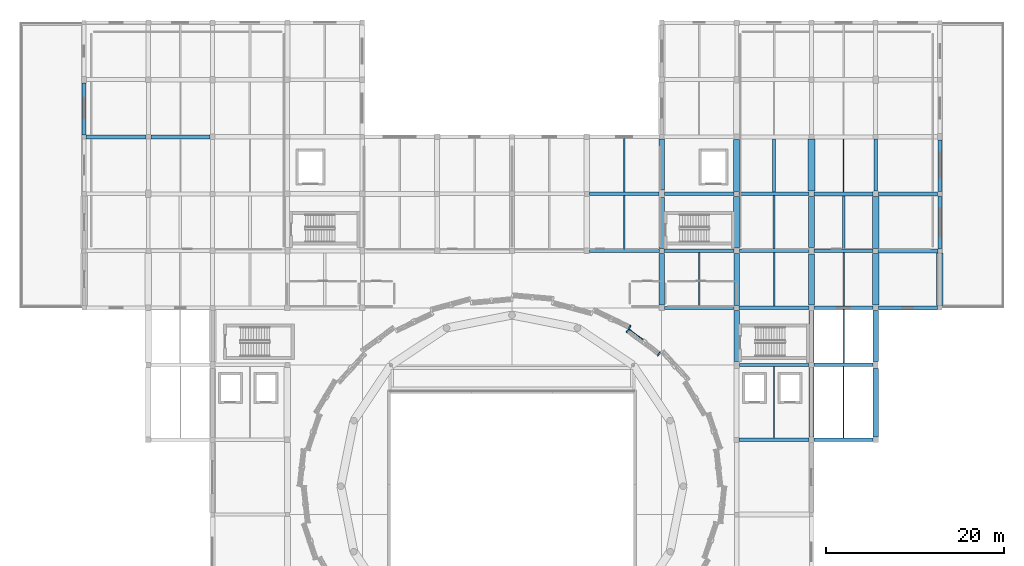
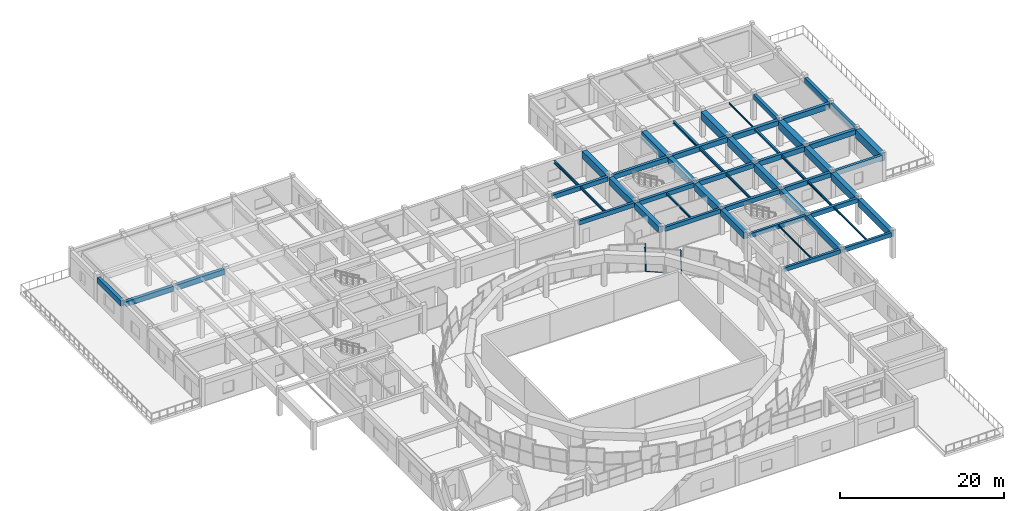
# One storey, part 21 of 40: 53 beams, 4 members, 2 elements without a shape of their own.
"""IFC4 building model written with IfcOpenShell, lengths in metres."""

from ifc_helpers import new_model, si_unit, direction, frame, origin, origin_2d, place, context, subcontext, project, spatial, rectangle, hollow_rectangle, i_section, extrude, material, material_profile, profile_set, type_object, element, aggregate, save


model = new_model("IFC4")

# Units and contexts
model_context = context("Model", 3, precision=1e-05, world=origin(), true_north=direction((0.0, 1.0)))
body_context = subcontext(model_context, "Body", "Model", "MODEL_VIEW")
ifc_project = project(units=[si_unit("LENGTHUNIT", "METRE"), si_unit("AREAUNIT", "SQUARE_METRE"), si_unit("VOLUMEUNIT", "CUBIC_METRE"), si_unit("PLANEANGLEUNIT", "RADIAN"), si_unit("MASSUNIT", "GRAM", prefix="KILO")], contexts=[model_context])

# Site, building, storey
site_placement = place(None, origin())
site = spatial("IfcSite", under=ifc_project, at=site_placement, CompositionType="ELEMENT")
building_placement = place(site_placement, origin())
building = spatial("IfcBuilding", under=site, at=building_placement, Name="Korsvaeld Concert Hall", CompositionType="ELEMENT")
storey_placement = place(building_placement, frame((0.0, 0.0, 13.199951171875)))
storey = spatial("IfcBuildingStorey", under=building, at=storey_placement, Name="L03", CompositionType="ELEMENT", Elevation=13.199951171875)

# Beams
ifc_material_1 = material(Name="Concrete C35/45", Category="concrete")
ifc_material_profile_1 = material_profile(ifc_material_1, rectangle(XDim=0.35009765625, YDim=0.60009765625, at=origin_2d()), Name="RC 350x600")
ifc_profile_set_1 = profile_set([ifc_material_profile_1], Name="Concrete C35/45")
beam_type_1 = type_object("IfcBeamType", Name="BM-RC-350x600", PredefinedType="T_BEAM", material=ifc_profile_set_1)
beam_1_placement = place(storey_placement, frame((109.47509765625, 68.39990234375, 3.5400390625), z_axis=(1.0, 0.0, 0.0), x_axis=(0.0, 1.0, 0.0)))
element("IfcBeam", 1, at=beam_1_placement, inside=storey, type_object=beam_type_1, Name="Primary girder 15-16/K L03", PredefinedType="T_BEAM", context=body_context, shape_type="SweptSolid", body=[
    extrude(rectangle(XDim=0.35009765625, YDim=0.60009765625, at=origin_2d()), origin(), (0.0, 0.0, 1.0), 7.824951171875),
])
ifc_material_profile_2 = material_profile(ifc_material_1, rectangle(XDim=0.35009765625, YDim=0.64990234375, at=origin_2d()), Name="RC 350x650")
ifc_profile_set_2 = profile_set([ifc_material_profile_2], Name="Concrete C35/45")
beam_type_2 = type_object("IfcBeamType", Name="BM-RC-350x650", PredefinedType="T_BEAM", material=ifc_profile_set_2)
beam_2_placement = place(storey_placement, frame((117.89990234375, 68.39990234375, 3.51513671875), z_axis=(1.0, 0.0, 0.0), x_axis=(0.0, 1.0, 0.0)))
element("IfcBeam", 2, at=beam_2_placement, inside=storey, type_object=beam_type_2, Name="Primary girder 16-17/K L03", PredefinedType="T_BEAM", context=body_context, shape_type="SweptSolid", body=[
    extrude(rectangle(XDim=0.35009765625, YDim=0.64990234375, at=origin_2d()), origin(), (0.0, 0.0, 1.0), 6.60009765625),
])
for number, where, z_axis, x_axis, name in (
    (3, (109.5, 76.800048828125, 3.51513671875), (1.0, 0.0, 0.0), (0.0, 1.0, 0.0), "Primary girder 15-16/L L03"),
    (4, (101.10009765625, 83.199951171875, 3.51513671875), (1.0, 0.0, 0.0), (0.0, 1.0, 0.0), "Primary girder 14-15/M L03"),
    (5, (92.699951171875, 89.60009765625, 3.51513671875), (1.0, 0.0, 0.0), (0.0, 1.0, 0.0), "Primary girder 13-14/N L03"),
):
    element("IfcBeam", number, at=place(storey_placement, frame(where, z_axis=z_axis, x_axis=x_axis)), inside=storey, type_object=beam_type_2, Name=name, PredefinedType="T_BEAM", context=body_context, shape_type="SweptSolid", body=[
        extrude(rectangle(XDim=0.35009765625, YDim=0.64990234375, at=origin_2d()), origin(), (0.0, 0.0, 1.0), 7.824951171875),
    ])
ifc_material_profile_3 = material_profile(ifc_material_1, rectangle(XDim=0.39990234375, YDim=0.64990234375, at=origin_2d()), Name="RC 400x650")
ifc_profile_set_3 = profile_set([ifc_material_profile_3], Name="Concrete C35/45")
beam_type_3 = type_object("IfcBeamType", Name="BM-RC-400x650", PredefinedType="T_BEAM", material=ifc_profile_set_3)
beam_3_placement = place(storey_placement, frame((117.875, 76.800048828125, 3.51513671875), z_axis=(1.0, 0.0, 0.0), x_axis=(0.0, 1.0, 0.0)))
element("IfcBeam", 6, at=beam_3_placement, inside=storey, type_object=beam_type_3, Name="Primary girder 16-17/L L03", PredefinedType="T_BEAM", context=body_context, shape_type="SweptSolid", body=[
    extrude(rectangle(XDim=0.39990234375, YDim=0.64990234375, at=origin_2d()), origin(), (0.0, 0.0, 1.0), 6.64990234375),
])
for number, where, z_axis, x_axis, name in (
    (7, (109.47509765625, 83.199951171875, 3.51513671875), (1.0, 0.0, 0.0), (0.0, 1.0, 0.0), "Primary girder 15-16/M L03"),
    (8, (101.074951171875, 89.60009765625, 3.51513671875), (1.0, 0.0, 0.0), (0.0, 1.0, 0.0), "Primary girder 14-15/N L03"),
    (9, (92.675048828125, 96.0, 3.51513671875), (1.0, 0.0, 0.0), (0.0, 1.0, 0.0), "Primary girder 13-14/P L03"),
):
    element("IfcBeam", number, at=place(storey_placement, frame(where, z_axis=z_axis, x_axis=x_axis)), inside=storey, type_object=beam_type_3, Name=name, PredefinedType="T_BEAM", context=body_context, shape_type="SweptSolid", body=[
        extrude(rectangle(XDim=0.39990234375, YDim=0.64990234375, at=origin_2d()), origin(), (0.0, 0.0, 1.0), 7.824951171875),
    ])
ifc_material_profile_4 = material_profile(ifc_material_1, rectangle(XDim=0.39990234375, YDim=0.699951171875, at=origin_2d()), Name="RC 400x700")
ifc_profile_set_4 = profile_set([ifc_material_profile_4], Name="Concrete C35/45")
beam_type_4 = type_object("IfcBeamType", Name="BM-RC-400x700", PredefinedType="T_BEAM", material=ifc_profile_set_4)
beam_4_placement = place(storey_placement, frame((117.89990234375, 83.199951171875, 3.489990234375), z_axis=(1.0, 0.0, 0.0), x_axis=(0.0, 1.0, 0.0)))
element("IfcBeam", 10, at=beam_4_placement, inside=storey, type_object=beam_type_4, Name="Primary girder 16-17/M L03", PredefinedType="T_BEAM", context=body_context, shape_type="SweptSolid", body=[
    extrude(rectangle(XDim=0.39990234375, YDim=0.699951171875, at=origin_2d()), origin(), (0.0, 0.0, 1.0), 6.60009765625),
])
for number, where, z_axis, x_axis, name in (
    (11, (109.5, 89.60009765625, 3.489990234375), (1.0, 0.0, 0.0), (0.0, 1.0, 0.0), "Primary girder 15-16/N L03"),
    (12, (101.10009765625, 96.0, 3.489990234375), (1.0, 0.0, 0.0), (0.0, 1.0, 0.0), "Primary girder 14-15/P L03"),
):
    element("IfcBeam", number, at=place(storey_placement, frame(where, z_axis=z_axis, x_axis=x_axis)), inside=storey, type_object=beam_type_4, Name=name, PredefinedType="T_BEAM", context=body_context, shape_type="SweptSolid", body=[
        extrude(rectangle(XDim=0.39990234375, YDim=0.699951171875, at=origin_2d()), origin(), (0.0, 0.0, 1.0), 7.824951171875),
    ])
beam_5_placement = place(storey_placement, frame((124.800048828125, 96.300048828125, 3.489990234375), z_axis=(0.0, 1.0, 0.0), x_axis=(-1.0, 0.0, 0.0)))
element("IfcBeam", 13, at=beam_5_placement, inside=storey, type_object=beam_type_4, Name="Primary girder 17/P-Q L03", PredefinedType="T_BEAM", context=body_context, shape_type="SweptSolid", body=[
    extrude(rectangle(XDim=0.39990234375, YDim=0.699951171875, at=origin_2d()), origin(), (0.0, 0.0, 1.0), 5.824951171875),
])
beam_6_placement = place(storey_placement, frame((132.0, 89.824951171875, 3.489990234375), z_axis=(0.0, 1.0, 0.0), x_axis=(-1.0, 0.0, 0.0)))
element("IfcBeam", 14, at=beam_6_placement, inside=storey, type_object=beam_type_4, Name="Primary girder 18/N-P L03", PredefinedType="T_BEAM", context=body_context, shape_type="SweptSolid", body=[
    extrude(rectangle(XDim=0.39990234375, YDim=0.699951171875, at=origin_2d()), origin(), (0.0, 0.0, 1.0), 5.925048828125),
])
ifc_material_profile_5 = material_profile(ifc_material_1, rectangle(XDim=0.39990234375, YDim=0.75, at=origin_2d()), Name="RC 400x750")
ifc_profile_set_5 = profile_set([ifc_material_profile_5], Name="Concrete C35/45")
beam_type_5 = type_object("IfcBeamType", Name="BM-RC-400x750", PredefinedType="T_BEAM", material=ifc_profile_set_5)
for number, where, z_axis, x_axis, name in (
    (15, (125.10009765625, 83.199951171875, 3.465087890625), (1.0, 0.0, 0.0), (0.0, 1.0, 0.0), "Primary girder 17-18/M L03"),
    (16, (117.875, 89.60009765625, 3.465087890625), (1.0, 0.0, 0.0), (0.0, 1.0, 0.0), "Primary girder 16-17/N L03"),
):
    element("IfcBeam", number, at=place(storey_placement, frame(where, z_axis=z_axis, x_axis=x_axis)), inside=storey, type_object=beam_type_5, Name=name, PredefinedType="T_BEAM", context=body_context, shape_type="SweptSolid", body=[
        extrude(rectangle(XDim=0.39990234375, YDim=0.75, at=origin_2d()), origin(), (0.0, 0.0, 1.0), 6.64990234375),
    ])
beam_7_placement = place(storey_placement, frame((109.47509765625, 96.0, 3.465087890625), z_axis=(1.0, 0.0, 0.0), x_axis=(0.0, 1.0, 0.0)))
element("IfcBeam", 17, at=beam_7_placement, inside=storey, type_object=beam_type_5, Name="Primary girder 15-16/P L03", PredefinedType="T_BEAM", context=body_context, shape_type="SweptSolid", body=[
    extrude(rectangle(XDim=0.39990234375, YDim=0.75, at=origin_2d()), origin(), (0.0, 0.0, 1.0), 7.824951171875),
])
ifc_material_profile_6 = material_profile(ifc_material_1, rectangle(XDim=0.449951171875, YDim=0.75, at=origin_2d()), Name="RC 450x750")
ifc_profile_set_6 = profile_set([ifc_material_profile_6], Name="Concrete C35/45")
beam_type_6 = type_object("IfcBeamType", Name="BM-RC-450x750", PredefinedType="T_BEAM", material=ifc_profile_set_6)
beam_8_placement = place(storey_placement, frame((125.074951171875, 89.60009765625, 3.465087890625), z_axis=(1.0, 0.0, 0.0), x_axis=(0.0, 1.0, 0.0)))
element("IfcBeam", 18, at=beam_8_placement, inside=storey, type_object=beam_type_6, Name="Primary girder 17-18/N L03", PredefinedType="T_BEAM", context=body_context, shape_type="SweptSolid", body=[
    extrude(rectangle(XDim=0.449951171875, YDim=0.75, at=origin_2d()), origin(), (0.0, 0.0, 1.0), 6.699951171875),
])
beam_9_placement = place(storey_placement, frame((117.89990234375, 96.0, 3.465087890625), z_axis=(1.0, 0.0, 0.0), x_axis=(0.0, 1.0, 0.0)))
element("IfcBeam", 19, at=beam_9_placement, inside=storey, type_object=beam_type_6, Name="Primary girder 16-17/P L03", PredefinedType="T_BEAM", context=body_context, shape_type="SweptSolid", body=[
    extrude(rectangle(XDim=0.449951171875, YDim=0.75, at=origin_2d()), origin(), (0.0, 0.0, 1.0), 6.60009765625),
])
beam_10_placement = place(storey_placement, frame((36.22509765625, 102.39990234375, 3.465087890625), z_axis=(1.0, 0.0, 0.0), x_axis=(0.0, 1.0, 0.0)))
element("IfcBeam", 20, at=beam_10_placement, inside=storey, type_object=beam_type_6, Name="Primary girder 6-7/Q L03", PredefinedType="T_BEAM", context=body_context, shape_type="SweptSolid", body=[
    extrude(rectangle(XDim=0.449951171875, YDim=0.75, at=origin_2d()), origin(), (0.0, 0.0, 1.0), 6.699951171875),
])
ifc_material_profile_7 = material_profile(ifc_material_1, rectangle(XDim=0.449951171875, YDim=0.800048828125, at=origin_2d()), Name="RC 450x800")
ifc_profile_set_7 = profile_set([ifc_material_profile_7], Name="Concrete C35/45")
beam_type_7 = type_object("IfcBeamType", Name="BM-RC-450x800", PredefinedType="T_BEAM", material=ifc_profile_set_7)
beam_11_placement = place(storey_placement, frame((125.10009765625, 96.0, 3.43994140625), z_axis=(1.0, 0.0, 0.0), x_axis=(0.0, 1.0, 0.0)))
element("IfcBeam", 21, at=beam_11_placement, inside=storey, type_object=beam_type_7, Name="Primary girder 17-18/P L03", PredefinedType="T_BEAM", context=body_context, shape_type="SweptSolid", body=[
    extrude(rectangle(XDim=0.449951171875, YDim=0.800048828125, at=origin_2d()), origin(), (0.0, 0.0, 1.0), 6.64990234375),
])
beam_12_placement = place(storey_placement, frame((43.47509765625, 102.39990234375, 3.43994140625), z_axis=(1.0, 0.0, 0.0), x_axis=(0.0, 1.0, 0.0)))
element("IfcBeam", 22, at=beam_12_placement, inside=storey, type_object=beam_type_7, Name="Primary girder 7-8/Q L03", PredefinedType="T_BEAM", context=body_context, shape_type="SweptSolid", body=[
    extrude(rectangle(XDim=0.449951171875, YDim=0.800048828125, at=origin_2d()), origin(), (0.0, 0.0, 1.0), 6.625),
])
for number, where, z_axis, x_axis, name in (
    (23, (36.0, 102.625, 3.43994140625), (0.0, 1.0, 0.0), (-1.0, 0.0, 0.0), "Primary girder 6/Q-R L03"),
    (24, (132.0, 96.25, 3.43994140625), (0.0, 1.0, 0.0), (-1.0, 0.0, 0.0), "Primary girder 18/P-Q L03"),
):
    element("IfcBeam", number, at=place(storey_placement, frame(where, z_axis=z_axis, x_axis=x_axis)), inside=storey, type_object=beam_type_7, Name=name, PredefinedType="T_BEAM", context=body_context, shape_type="SweptSolid", body=[
        extrude(rectangle(XDim=0.449951171875, YDim=0.800048828125, at=origin_2d()), origin(), (0.0, 0.0, 1.0), 5.800048828125),
    ])
ifc_material_2 = material(Name="Concrete C40/50", Category="concrete")
ifc_material_profile_8 = material_profile(ifc_material_2, rectangle(XDim=0.60009765625, YDim=1.050048828125, at=origin_2d()), Name="RC 600x1050")
ifc_profile_set_8 = profile_set([ifc_material_profile_8], Name="Concrete C40/50")
beam_type_8 = type_object("IfcBeamType", Name="BM-RC-600x1050", PredefinedType="T_BEAM", material=ifc_profile_set_8)
beam_13_placement = place(storey_placement, frame((100.800048828125, 89.875, 3.31494140625), z_axis=(0.0, 1.0, 0.0), x_axis=(-1.0, 0.0, 0.0)))
element("IfcBeam", 25, at=beam_13_placement, inside=storey, type_object=beam_type_8, Name="Primary girder 14/N-P L03", PredefinedType="T_BEAM", context=body_context, shape_type="SweptSolid", body=[
    extrude(rectangle(XDim=0.60009765625, YDim=1.050048828125, at=origin_2d()), origin(), (0.0, 0.0, 1.0), 5.72509765625),
])
for number, where, z_axis, x_axis, name in (
    (26, (109.199951171875, 83.47509765625, 3.31494140625), (0.0, 1.0, 0.0), (-1.0, 0.0, 0.0), "Primary girder 15/M-N L03"),
    (27, (117.60009765625, 77.074951171875, 3.31494140625), (0.0, 1.0, 0.0), (-1.0, 0.0, 0.0), "Primary girder 16/L-M L03"),
):
    element("IfcBeam", number, at=place(storey_placement, frame(where, z_axis=z_axis, x_axis=x_axis)), inside=storey, type_object=beam_type_8, Name=name, PredefinedType="T_BEAM", context=body_context, shape_type="SweptSolid", body=[
        extrude(rectangle(XDim=0.60009765625, YDim=1.050048828125, at=origin_2d()), origin(), (0.0, 0.0, 1.0), 5.824951171875),
    ])
beam_14_placement = place(storey_placement, frame((124.800048828125, 68.699951171875, 3.31494140625), z_axis=(0.0, 1.0, 0.0), x_axis=(-1.0, 0.0, 0.0)))
element("IfcBeam", 28, at=beam_14_placement, inside=storey, type_object=beam_type_8, Name="Primary girder 17/K-L L03", PredefinedType="T_BEAM", context=body_context, shape_type="SweptSolid", body=[
    extrude(rectangle(XDim=0.60009765625, YDim=1.050048828125, at=origin_2d()), origin(), (0.0, 0.0, 1.0), 7.72509765625),
])
ifc_material_profile_9 = material_profile(ifc_material_2, rectangle(XDim=0.60009765625, YDim=0.949951171875, at=origin_2d()), Name="RC 600x950")
ifc_profile_set_9 = profile_set([ifc_material_profile_9], Name="Concrete C40/50")
beam_type_9 = type_object("IfcBeamType", Name="BM-RC-600x950", PredefinedType="T_BEAM", material=ifc_profile_set_9)
beam_15_placement = place(storey_placement, frame((100.800048828125, 83.5, 3.364990234375), z_axis=(0.0, 1.0, 0.0), x_axis=(-1.0, 0.0, 0.0)))
element("IfcBeam", 29, at=beam_15_placement, inside=storey, type_object=beam_type_9, Name="Primary girder 14/M-N L03", PredefinedType="T_BEAM", context=body_context, shape_type="SweptSolid", body=[
    extrude(rectangle(XDim=0.60009765625, YDim=0.949951171875, at=origin_2d()), origin(), (0.0, 0.0, 1.0), 5.824951171875),
])
beam_16_placement = place(storey_placement, frame((109.199951171875, 77.199951171875, 3.364990234375), z_axis=(0.0, 1.0, 0.0), x_axis=(-1.0, 0.0, 0.0)))
element("IfcBeam", 30, at=beam_16_placement, inside=storey, type_object=beam_type_9, Name="Primary girder 15/L-M L03", PredefinedType="T_BEAM", context=body_context, shape_type="SweptSolid", body=[
    extrude(rectangle(XDim=0.60009765625, YDim=0.949951171875, at=origin_2d()), origin(), (0.0, 0.0, 1.0), 5.72509765625),
])
beam_17_placement = place(storey_placement, frame((117.60009765625, 68.699951171875, 3.364990234375), z_axis=(0.0, 1.0, 0.0), x_axis=(-1.0, 0.0, 0.0)))
element("IfcBeam", 31, at=beam_17_placement, inside=storey, type_object=beam_type_9, Name="Primary girder 16/K-L L03", PredefinedType="T_BEAM", context=body_context, shape_type="SweptSolid", body=[
    extrude(rectangle(XDim=0.60009765625, YDim=0.949951171875, at=origin_2d()), origin(), (0.0, 0.0, 1.0), 7.824951171875),
])
ifc_material_profile_10 = material_profile(ifc_material_2, rectangle(XDim=0.64990234375, YDim=1.10009765625, at=origin_2d()), Name="RC 650x1100")
ifc_profile_set_10 = profile_set([ifc_material_profile_10], Name="Concrete C40/50")
beam_type_10 = type_object("IfcBeamType", Name="BM-RC-650x1100", PredefinedType="T_BEAM", material=ifc_profile_set_10)
beam_18_placement = place(storey_placement, frame((100.800048828125, 96.39990234375, 3.2900390625), z_axis=(0.0, 1.0, 0.0), x_axis=(-1.0, 0.0, 0.0)))
element("IfcBeam", 32, at=beam_18_placement, inside=storey, type_object=beam_type_10, Name="Primary girder 14/P-Q L03", PredefinedType="T_BEAM", context=body_context, shape_type="SweptSolid", body=[
    extrude(rectangle(XDim=0.64990234375, YDim=1.10009765625, at=origin_2d()), origin(), (0.0, 0.0, 1.0), 5.72509765625),
])
beam_19_placement = place(storey_placement, frame((109.199951171875, 89.89990234375, 3.2900390625), z_axis=(0.0, 1.0, 0.0), x_axis=(-1.0, 0.0, 0.0)))
element("IfcBeam", 33, at=beam_19_placement, inside=storey, type_object=beam_type_10, Name="Primary girder 15/N-P L03", PredefinedType="T_BEAM", context=body_context, shape_type="SweptSolid", body=[
    extrude(rectangle(XDim=0.64990234375, YDim=1.10009765625, at=origin_2d()), origin(), (0.0, 0.0, 1.0), 5.8251953125),
])
beam_20_placement = place(storey_placement, frame((117.60009765625, 83.5, 3.2900390625), z_axis=(0.0, 1.0, 0.0), x_axis=(-1.0, 0.0, 0.0)))
element("IfcBeam", 34, at=beam_20_placement, inside=storey, type_object=beam_type_10, Name="Primary girder 16/M-N L03", PredefinedType="T_BEAM", context=body_context, shape_type="SweptSolid", body=[
    extrude(rectangle(XDim=0.64990234375, YDim=1.10009765625, at=origin_2d()), origin(), (0.0, 0.0, 1.0), 5.72509765625),
])
beam_21_placement = place(storey_placement, frame((124.800048828125, 77.175048828125, 3.2900390625), z_axis=(0.0, 1.0, 0.0), x_axis=(-1.0, 0.0, 0.0)))
element("IfcBeam", 35, at=beam_21_placement, inside=storey, type_object=beam_type_10, Name="Primary girder 17/L-M L03", PredefinedType="T_BEAM", context=body_context, shape_type="SweptSolid", body=[
    extrude(rectangle(XDim=0.64990234375, YDim=1.10009765625, at=origin_2d()), origin(), (0.0, 0.0, 1.0), 5.724853515625),
])
ifc_material_profile_11 = material_profile(ifc_material_2, rectangle(XDim=0.699951171875, YDim=1.14990234375, at=origin_2d()), Name="RC 700x1150")
ifc_profile_set_11 = profile_set([ifc_material_profile_11], Name="Concrete C40/50")
beam_type_11 = type_object("IfcBeamType", Name="BM-RC-700x1150", PredefinedType="T_BEAM", material=ifc_profile_set_11)
beam_22_placement = place(storey_placement, frame((109.199951171875, 96.27490234375, 3.26513671875), z_axis=(0.0, 1.0, 0.0), x_axis=(-1.0, 0.0, 0.0)))
element("IfcBeam", 36, at=beam_22_placement, inside=storey, type_object=beam_type_11, Name="Primary girder 15/P-Q L03", PredefinedType="T_BEAM", context=body_context, shape_type="SweptSolid", body=[
    extrude(rectangle(XDim=0.699951171875, YDim=1.14990234375, at=origin_2d()), origin(), (0.0, 0.0, 1.0), 5.8251953125),
])
beam_23_placement = place(storey_placement, frame((117.60009765625, 89.97509765625, 3.26513671875), z_axis=(0.0, 1.0, 0.0), x_axis=(-1.0, 0.0, 0.0)))
element("IfcBeam", 37, at=beam_23_placement, inside=storey, type_object=beam_type_11, Name="Primary girder 16/N-P L03", PredefinedType="T_BEAM", context=body_context, shape_type="SweptSolid", body=[
    extrude(rectangle(XDim=0.699951171875, YDim=1.14990234375, at=origin_2d()), origin(), (0.0, 0.0, 1.0), 5.724853515625),
])
beam_24_placement = place(storey_placement, frame((124.800048828125, 83.5, 3.26513671875), z_axis=(0.0, 1.0, 0.0), x_axis=(-1.0, 0.0, 0.0)))
element("IfcBeam", 38, at=beam_24_placement, inside=storey, type_object=beam_type_11, Name="Primary girder 17/M-N L03", PredefinedType="T_BEAM", context=body_context, shape_type="SweptSolid", body=[
    extrude(rectangle(XDim=0.699951171875, YDim=1.14990234375, at=origin_2d()), origin(), (0.0, 0.0, 1.0), 5.824951171875),
])
ifc_material_profile_12 = material_profile(ifc_material_2, rectangle(XDim=0.75, YDim=1.199951171875, at=origin_2d()), Name="RC 750x1200")
ifc_profile_set_12 = profile_set([ifc_material_profile_12], Name="Concrete C40/50")
beam_type_12 = type_object("IfcBeamType", Name="BM-RC-750x1200", PredefinedType="T_BEAM", material=ifc_profile_set_12)
for number, where, z_axis, x_axis, name in (
    (39, (117.60009765625, 96.300048828125, 3.239990234375), (0.0, 1.0, 0.0), (-1.0, 0.0, 0.0), "Primary girder 16/P-Q L03"),
    (40, (124.800048828125, 89.875, 3.239990234375), (0.0, 1.0, 0.0), (-1.0, 0.0, 0.0), "Primary girder 17/N-P L03"),
):
    element("IfcBeam", number, at=place(storey_placement, frame(where, z_axis=z_axis, x_axis=x_axis)), inside=storey, type_object=beam_type_12, Name=name, PredefinedType="T_BEAM", context=body_context, shape_type="SweptSolid", body=[
        extrude(rectangle(XDim=0.75, YDim=1.199951171875, at=origin_2d()), origin(), (0.0, 0.0, 1.0), 5.824951171875),
    ])
beam_25_placement = place(storey_placement, frame((132.0, 83.449951171875, 3.239990234375), z_axis=(0.0, 1.0, 0.0), x_axis=(-1.0, 0.0, 0.0)))
element("IfcBeam", 41, at=beam_25_placement, inside=storey, type_object=beam_type_12, Name="Primary girder 18/M-N L03", PredefinedType="T_BEAM", context=body_context, shape_type="SweptSolid", body=[
    extrude(rectangle(XDim=0.75, YDim=1.199951171875, at=origin_2d()), origin(), (0.0, 0.0, 1.0), 5.925048828125),
])
ifc_material_3 = material(Name="Steel S355J2", Category="steel")
ifc_material_profile_13 = material_profile(ifc_material_3, i_section(OverallWidth=0.280029296875, OverallDepth=0.27001953125, WebThickness=0.008056640625, FlangeThickness=0.012939453125, FilletRadius=0.02392578125, at=origin_2d()), Name="HEA 280")
ifc_profile_set_13 = profile_set([ifc_material_profile_13], Name="Steel S355J2")
beam_type_13 = type_object("IfcBeamType", Name="BM-STL-HEA280", PredefinedType="BEAM", material=ifc_profile_set_13)
beam_26_placement = place(storey_placement, frame((121.199951171875, 89.800048828125, 3.705078125), z_axis=(0.0, 1.0, 0.0), x_axis=(-1.0, 0.0, 0.0)))
element("IfcBeam", 42, at=beam_26_placement, inside=storey, type_object=beam_type_13, Name="Secondary steel floor beam 16-17/N L03", PredefinedType="BEAM", context=body_context, shape_type="SweptSolid", body=[
    extrude(i_section(OverallWidth=0.280029296875, OverallDepth=0.27001953125, WebThickness=0.008056640625, FlangeThickness=0.012939453125, FilletRadius=0.02392578125, at=origin_2d()), origin(), (0.0, 0.0, 1.0), 5.974853515625),
])
ifc_material_profile_14 = material_profile(ifc_material_3, i_section(OverallWidth=0.300048828125, OverallDepth=0.35009765625, WebThickness=0.010009765625, FlangeThickness=0.017578125, FilletRadius=0.027099609375, at=origin_2d()), Name="HEA 360")
ifc_profile_set_14 = profile_set([ifc_material_profile_14], Name="Steel S355J2")
beam_type_14 = type_object("IfcBeamType", Name="BM-STL-HEA360", PredefinedType="BEAM", material=ifc_profile_set_14)
beam_27_placement = place(storey_placement, frame((113.39990234375, 96.199951171875, 3.6650390625), z_axis=(0.0, 1.0, 0.0), x_axis=(-1.0, 0.0, 0.0)))
element("IfcBeam", 43, at=beam_27_placement, inside=storey, type_object=beam_type_14, Name="Secondary steel floor beam 15-16/P L03", PredefinedType="BEAM", context=body_context, shape_type="SweptSolid", body=[
    extrude(i_section(OverallWidth=0.300048828125, OverallDepth=0.35009765625, WebThickness=0.010009765625, FlangeThickness=0.017578125, FilletRadius=0.027099609375, at=origin_2d()), origin(), (0.0, 0.0, 1.0), 5.97509765625),
])
ifc_material_profile_15 = material_profile(ifc_material_3, i_section(OverallWidth=0.1201171875, OverallDepth=0.239990234375, WebThickness=0.006103515625, FlangeThickness=0.009765625, FilletRadius=0.014892578125, at=origin_2d()), Name="IPE 240")
ifc_profile_set_15 = profile_set([ifc_material_profile_15], Name="Steel S355J2")
beam_type_15 = type_object("IfcBeamType", Name="BM-STL-IPE240", PredefinedType="JOIST", material=ifc_profile_set_15)
beam_28_placement = place(storey_placement, frame((113.39990234375, 68.574951171875, 3.719970703125), z_axis=(0.0, 1.0, 0.0), x_axis=(-1.0, 0.0, 0.0)))
element("IfcBeam", 44, at=beam_28_placement, inside=storey, type_object=beam_type_15, Name="Secondary steel floor beam 15-16/K L03", PredefinedType="JOIST", context=body_context, shape_type="SweptSolid", body=[
    extrude(i_section(OverallWidth=0.1201171875, OverallDepth=0.239990234375, WebThickness=0.006103515625, FlangeThickness=0.009765625, FilletRadius=0.014892578125, at=origin_2d()), origin(), (0.0, 0.0, 1.0), 8.050048828125),
])
beam_29_placement = place(storey_placement, frame((121.199951171875, 96.22509765625, 3.719970703125), z_axis=(0.0, 1.0, 0.0), x_axis=(-1.0, 0.0, 0.0)))
element("IfcBeam", 45, at=beam_29_placement, inside=storey, type_object=beam_type_15, Name="Secondary steel floor beam 16-17/P L03", PredefinedType="JOIST", context=body_context, shape_type="SweptSolid", body=[
    extrude(i_section(OverallWidth=0.1201171875, OverallDepth=0.239990234375, WebThickness=0.006103515625, FlangeThickness=0.009765625, FilletRadius=0.014892578125, at=origin_2d()), origin(), (0.0, 0.0, 1.0), 5.949951171875),
])
ifc_material_profile_16 = material_profile(ifc_material_3, i_section(OverallWidth=0.135009765625, OverallDepth=0.27001953125, WebThickness=0.006591796875, FlangeThickness=0.01025390625, FilletRadius=0.014892578125, at=origin_2d()), Name="IPE 270")
ifc_profile_set_16 = profile_set([ifc_material_profile_16], Name="Steel S355J2")
beam_type_16 = type_object("IfcBeamType", Name="BM-STL-IPE270", PredefinedType="JOIST", material=ifc_profile_set_16)
beam_30_placement = place(storey_placement, frame((121.199951171875, 68.574951171875, 3.705078125), z_axis=(0.0, 1.0, 0.0), x_axis=(-1.0, 0.0, 0.0)))
element("IfcBeam", 46, at=beam_30_placement, inside=storey, type_object=beam_type_16, Name="Secondary steel floor beam 16-17/K L03", PredefinedType="JOIST", context=body_context, shape_type="SweptSolid", body=[
    extrude(i_section(OverallWidth=0.135009765625, OverallDepth=0.27001953125, WebThickness=0.006591796875, FlangeThickness=0.01025390625, FilletRadius=0.014892578125, at=origin_2d()), origin(), (0.0, 0.0, 1.0), 8.025146484375),
])
ifc_material_profile_17 = material_profile(ifc_material_3, i_section(OverallWidth=0.159912109375, OverallDepth=0.330078125, WebThickness=0.007568359375, FlangeThickness=0.011474609375, FilletRadius=0.01806640625, at=origin_2d()), Name="IPE 330")
ifc_profile_set_17 = profile_set([ifc_material_profile_17], Name="Steel S355J2")
beam_type_17 = type_object("IfcBeamType", Name="BM-STL-IPE330", PredefinedType="BEAM", material=ifc_profile_set_17)
beam_31_placement = place(storey_placement, frame((105.0, 83.375, 3.675048828125), z_axis=(0.0, 1.0, 0.0), x_axis=(-1.0, 0.0, 0.0)))
element("IfcBeam", 47, at=beam_31_placement, inside=storey, type_object=beam_type_17, Name="Secondary steel floor beam 14-15/M L03", PredefinedType="BEAM", context=body_context, shape_type="SweptSolid", body=[
    extrude(i_section(OverallWidth=0.159912109375, OverallDepth=0.330078125, WebThickness=0.007568359375, FlangeThickness=0.011474609375, FilletRadius=0.01806640625, at=origin_2d()), origin(), (0.0, 0.0, 1.0), 6.02490234375),
])
beam_32_placement = place(storey_placement, frame((121.199951171875, 77.0, 3.675048828125), z_axis=(0.0, 1.0, 0.0), x_axis=(-1.0, 0.0, 0.0)))
element("IfcBeam", 48, at=beam_32_placement, inside=storey, type_object=beam_type_17, Name="Secondary steel floor beam 16-17/L L03", PredefinedType="BEAM", context=body_context, shape_type="SweptSolid", body=[
    extrude(i_section(OverallWidth=0.159912109375, OverallDepth=0.330078125, WebThickness=0.007568359375, FlangeThickness=0.011474609375, FilletRadius=0.01806640625, at=origin_2d()), origin(), (0.0, 0.0, 1.0), 6.0),
])
ifc_material_profile_18 = material_profile(ifc_material_3, i_section(OverallWidth=0.169921875, OverallDepth=0.360107421875, WebThickness=0.008056640625, FlangeThickness=0.0126953125, FilletRadius=0.01806640625, at=origin_2d()), Name="IPE 360")
ifc_profile_set_18 = profile_set([ifc_material_profile_18], Name="Steel S355J2")
beam_type_18 = type_object("IfcBeamType", Name="BM-STL-IPE360", PredefinedType="BEAM", material=ifc_profile_set_18)
beam_33_placement = place(storey_placement, frame((96.60009765625, 89.77490234375, 3.66015625), z_axis=(0.0, 1.0, 0.0), x_axis=(-1.0, 0.0, 0.0)))
element("IfcBeam", 49, at=beam_33_placement, inside=storey, type_object=beam_type_18, Name="Secondary steel floor beam 13-14/N L03", PredefinedType="BEAM", context=body_context, shape_type="SweptSolid", body=[
    extrude(i_section(OverallWidth=0.169921875, OverallDepth=0.360107421875, WebThickness=0.008056640625, FlangeThickness=0.0126953125, FilletRadius=0.01806640625, at=origin_2d()), origin(), (0.0, 0.0, 1.0), 6.025146484375),
])
beam_34_placement = place(storey_placement, frame((113.39990234375, 83.39990234375, 3.66015625), z_axis=(0.0, 1.0, 0.0), x_axis=(-1.0, 0.0, 0.0)))
element("IfcBeam", 50, at=beam_34_placement, inside=storey, type_object=beam_type_18, Name="Secondary steel floor beam 15-16/M L03", PredefinedType="BEAM", context=body_context, shape_type="SweptSolid", body=[
    extrude(i_section(OverallWidth=0.169921875, OverallDepth=0.360107421875, WebThickness=0.008056640625, FlangeThickness=0.0126953125, FilletRadius=0.01806640625, at=origin_2d()), origin(), (0.0, 0.0, 1.0), 6.0),
])
ifc_material_profile_19 = material_profile(ifc_material_3, i_section(OverallWidth=0.179931640625, OverallDepth=0.39990234375, WebThickness=0.008544921875, FlangeThickness=0.013427734375, FilletRadius=0.02099609375, at=origin_2d()), Name="IPE 400")
ifc_profile_set_19 = profile_set([ifc_material_profile_19], Name="Steel S355J2")
beam_type_19 = type_object("IfcBeamType", Name="BM-STL-IPE400", PredefinedType="BEAM", material=ifc_profile_set_19)
beam_35_placement = place(storey_placement, frame((121.199951171875, 83.39990234375, 3.64013671875), z_axis=(0.0, 1.0, 0.0), x_axis=(-1.0, 0.0, 0.0)))
element("IfcBeam", 51, at=beam_35_placement, inside=storey, type_object=beam_type_19, Name="Secondary steel floor beam 16-17/M L03", PredefinedType="BEAM", context=body_context, shape_type="SweptSolid", body=[
    extrude(i_section(OverallWidth=0.179931640625, OverallDepth=0.39990234375, WebThickness=0.008544921875, FlangeThickness=0.013427734375, FilletRadius=0.02099609375, at=origin_2d()), origin(), (0.0, 0.0, 1.0), 6.0),
])
ifc_material_profile_20 = material_profile(ifc_material_3, i_section(OverallWidth=0.18994140625, OverallDepth=0.449951171875, WebThickness=0.009521484375, FlangeThickness=0.0146484375, FilletRadius=0.02099609375, at=origin_2d()), Name="IPE 450")
ifc_profile_set_20 = profile_set([ifc_material_profile_20], Name="Steel S355J2")
beam_type_20 = type_object("IfcBeamType", Name="BM-STL-IPE450", PredefinedType="BEAM", material=ifc_profile_set_20)
for number, where, z_axis, x_axis, name in (
    (52, (96.60009765625, 96.199951171875, 3.614990234375), (0.0, 1.0, 0.0), (-1.0, 0.0, 0.0), "Secondary steel floor beam 13-14/P L03"),
    (53, (113.39990234375, 89.800048828125, 3.614990234375), (0.0, 1.0, 0.0), (-1.0, 0.0, 0.0), "Secondary steel floor beam 15-16/N L03"),
):
    element("IfcBeam", number, at=place(storey_placement, frame(where, z_axis=z_axis, x_axis=x_axis)), inside=storey, type_object=beam_type_20, Name=name, PredefinedType="BEAM", context=body_context, shape_type="SweptSolid", body=[
        extrude(i_section(OverallWidth=0.18994140625, OverallDepth=0.449951171875, WebThickness=0.009521484375, FlangeThickness=0.0146484375, FilletRadius=0.02099609375, at=origin_2d()), origin(), (0.0, 0.0, 1.0), 6.0),
    ])

# Curtain wall, member
ifc_material_4 = material(Name="Anodised bronze and ceramic-fritted safety glass", Category="glass")
curtain_wall_type_1 = type_object("IfcCurtainWallType", Name="CW-TYPE-06", PredefinedType="USERDEFINED", material=ifc_material_4)
curtain_wall_1_placement = place(storey_placement, origin())
curtain_wall_1 = element("IfcCurtainWall", 54, at=curtain_wall_1_placement, inside=storey, type_object=curtain_wall_type_1, Name="Crystal curtain-wall facet L03 F06", ObjectType="CURTAIN WALL", PredefinedType="USERDEFINED")
ifc_material_5 = material(Name="Anodised architectural bronze aluminium", Category="aluminium")
ifc_material_profile_21 = material_profile(ifc_material_5, hollow_rectangle(XDim=0.074951171875, YDim=0.179931640625, WallThickness=0.0048828125, at=origin_2d()), Name="CWM 180x75x5")
ifc_profile_set_21 = profile_set([ifc_material_profile_21], Name="Anodised architectural bronze aluminium")
member_type_1 = type_object("IfcMemberType", Name="CWM-BRONZE-180x75", PredefinedType="MULLION", material=ifc_profile_set_21)
member_1_placement = place(storey_placement, frame((97.07763671875, 80.843505859375, 0.0), z_axis=(0.057890146021, 0.097275450549, 0.993572452172), x_axis=(0.829999508119, 0.548349795161, -0.102045669527)))
member_1 = element("IfcMember", 55, at=member_1_placement, type_object=member_type_1, Name="CW-CRYS-L03-F06 crystal mullion 1", PredefinedType="MULLION", context=body_context, shape_type="SweptSolid", body=[
    extrude(hollow_rectangle(XDim=0.074951171875, YDim=0.179931640625, WallThickness=0.0048828125, at=origin_2d()), origin(), (0.0, 0.0, 1.0), 3.9052734375),
])
aggregate(curtain_wall_1, [member_1])

# Curtain wall, members
curtain_wall_type_2 = type_object("IfcCurtainWallType", Name="CW-TYPE-05", PredefinedType="USERDEFINED", material=ifc_material_4)
curtain_wall_2_placement = place(storey_placement, origin())
curtain_wall_2 = element("IfcCurtainWall", 56, at=curtain_wall_2_placement, inside=storey, type_object=curtain_wall_type_2, Name="Crystal curtain-wall facet L03 F05", ObjectType="CURTAIN WALL", PredefinedType="USERDEFINED")
ifc_material_profile_22 = material_profile(ifc_material_5, hollow_rectangle(XDim=0.074951171875, YDim=0.219970703125, WallThickness=0.006103515625, at=origin_2d()), Name="CWM 220x75x6")
ifc_profile_set_22 = profile_set([ifc_material_profile_22], Name="Anodised architectural bronze aluminium")
member_type_2 = type_object("IfcMemberType", Name="CWM-BRONZE-220x75", PredefinedType="MULLION", material=ifc_profile_set_22)
member_2_placement = place(storey_placement, frame((100.657470703125, 78.212890625, 0.0), z_axis=(-0.076332501289, -0.083584401493, 0.993572844372), x_axis=(-0.977474975154, -0.190371981092, -0.091110821329)))
member_2 = element("IfcMember", 57, at=member_2_placement, type_object=member_type_2, Name="CW-CRYS-L03-F05 crystal mullion 1", PredefinedType="MULLION", context=body_context, shape_type="SweptSolid", body=[
    extrude(hollow_rectangle(XDim=0.074951171875, YDim=0.219970703125, WallThickness=0.006103515625, at=origin_2d()), origin(), (0.0, 0.0, 1.0), 3.9052734375),
])
member_3_placement = place(storey_placement, frame((97.1416015625, 80.804931640625, 0.0), z_axis=(-0.076332501289, -0.083584401493, 0.993572844372), x_axis=(-0.977474975154, -0.190371981092, -0.091110821329)))
member_3 = element("IfcMember", 58, at=member_3_placement, type_object=member_type_2, Name="CW-CRYS-L03-F05 crystal mullion 3", PredefinedType="MULLION", context=body_context, shape_type="SweptSolid", body=[
    extrude(hollow_rectangle(XDim=0.074951171875, YDim=0.219970703125, WallThickness=0.006103515625, at=origin_2d()), origin(), (0.0, 0.0, 1.0), 3.9052734375),
])
ifc_material_profile_23 = material_profile(ifc_material_5, hollow_rectangle(XDim=0.06005859375, YDim=0.139892578125, WallThickness=0.00390625, at=origin_2d()), Name="CWT 140x60x4")
ifc_profile_set_23 = profile_set([ifc_material_profile_23], Name="Anodised architectural bronze aluminium")
member_type_3 = type_object("IfcMemberType", Name="CWT-BRONZE-140x60", PredefinedType="USERDEFINED", material=ifc_profile_set_23)
member_4_placement = place(storey_placement, frame((98.8671875, 79.528564453125, 0.030029296875), z_axis=(-0.804849215574, 0.593479351107, 0.0), x_axis=(-0.593479351107, -0.804849215574, 0.0)))
member_4 = element("IfcMember", 59, at=member_4_placement, type_object=member_type_3, Name="CW-CRYS-L03-F05 crystal transom 2.1", ObjectType="TRANSOM", PredefinedType="USERDEFINED", context=body_context, shape_type="SweptSolid", body=[
    extrude(hollow_rectangle(XDim=0.06005859375, YDim=0.139892578125, WallThickness=0.00390625, at=origin_2d()), origin(), (0.0, 0.0, 1.0), 2.109130859375),
])
aggregate(curtain_wall_2, [member_2, member_3, member_4])

save(model, "model.ifc")
